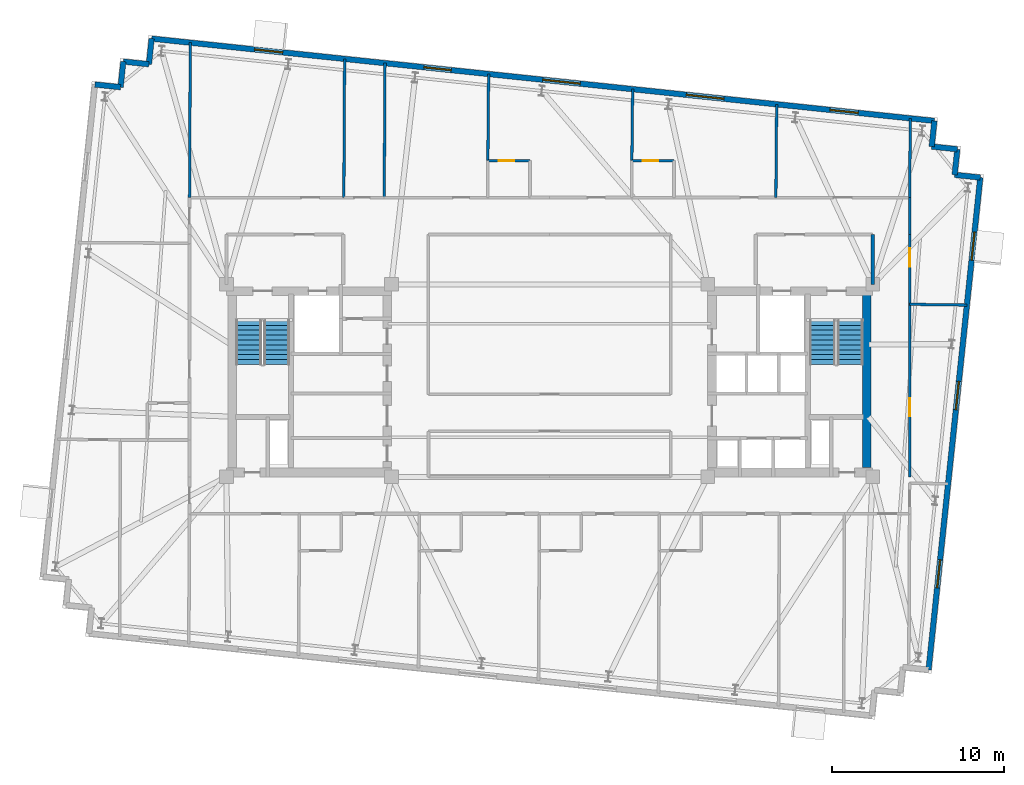
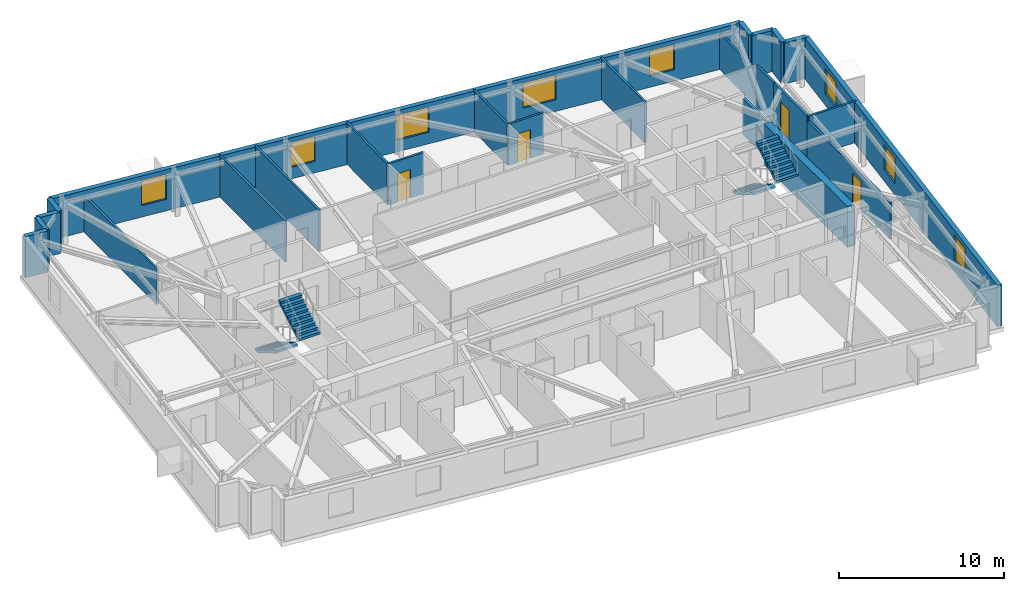
# One storey, part 9 of 11: 25 walls, 8 windows, 4 doors, 4 stair flights, 12 openings, 2 elements without a shape of their own.
"""IFC4 building model written with IfcOpenShell, lengths in metres."""

from ifc_helpers import new_model, si_unit, direction, frame, frame_2d, origin, place, context, subcontext, project, spatial, polyline, rectangle, outline, extrude, material, layer, layer_set, type_object, element, fill, aggregate, save


model = new_model("IFC4")

# Units and contexts
model_context = context("Model", 3, precision=1e-05, world=origin(), true_north=direction((0.0, 1.0)))
body_context = subcontext(model_context, "Body", "Model", "MODEL_VIEW")
ifc_project = project(units=[si_unit("LENGTHUNIT", "METRE"), si_unit("AREAUNIT", "SQUARE_METRE"), si_unit("VOLUMEUNIT", "CUBIC_METRE"), si_unit("PLANEANGLEUNIT", "RADIAN"), si_unit("MASSUNIT", "GRAM", prefix="KILO")], contexts=[model_context])

# Site, building, storey
site_placement = place(None, origin())
site = spatial("IfcSite", under=ifc_project, at=site_placement, CompositionType="ELEMENT")
building_placement = place(site_placement, origin())
building = spatial("IfcBuilding", under=site, at=building_placement, Name="Qobustan Lattice House", CompositionType="ELEMENT")
storey_placement = place(building_placement, frame((0.0, 0.0, 209.800048828125)))
storey = spatial("IfcBuildingStorey", under=building, at=storey_placement, Name="L59", CompositionType="ELEMENT", Elevation=209.800048828125)

# Walls
ifc_material_1 = material(Name="Concrete C50/60", Category="concrete")
ifc_layer_1 = layer(ifc_material_1, 0.5)
ifc_layer_set_1 = layer_set([ifc_layer_1], Name="Concrete C50/60")
wall_type_1 = type_object("IfcWallType", Name="WAL-CORE-500", PredefinedType="SHEAR", material=ifc_layer_set_1)
wall_1_placement = place(storey_placement, frame((18.4599609375, -5.050048828125, 0.0), z_axis=(0.0, 0.0, 1.0), x_axis=(0.0, 1.0, 0.0)))
element("IfcWall", 1, at=wall_1_placement, inside=storey, type_object=wall_type_1, Name="L59 split-core shear wall CE-E", PredefinedType="SHEAR", context=body_context, shape_type="SweptSolid", body=[
    extrude(rectangle(XDim=10.10009765625, YDim=0.5, at=frame_2d((5.050048828125, 0.0))), origin(), (0.0, 0.0, 1.0), 3.0400390625),
])
ifc_material_2 = material(Name="Precast concrete C40/50", Category="concrete")
ifc_layer_2 = layer(ifc_material_2, 0.320068359375)
ifc_layer_set_2 = layer_set([ifc_layer_2], Name="Precast concrete C40/50")
wall_type_2 = type_object("IfcWallType", Name="WAL-EXT-STONE-320", PredefinedType="SOLIDWALL", material=ifc_layer_set_2)
wall_2_placement = place(storey_placement, frame((-26.452880859375, 17.228515625, 0.0), z_axis=(0.0, 0.0, 1.0), x_axis=(0.994508128223, -0.104659366031, 0.0)))
element("IfcWall", 2, at=wall_2_placement, inside=storey, type_object=wall_type_2, Name="L59 exterior limestone-clad wall 6", PredefinedType="SOLIDWALL", context=body_context, shape_type="SweptSolid", body=[
    extrude(rectangle(XDim=1.5, YDim=0.320068359375, at=frame_2d((0.75, 0.0))), origin(), (0.0, 0.0, 1.0), 3.0400390625),
])
wall_3_placement = place(storey_placement, frame((-24.961181640625, 17.071533203125, 0.0), z_axis=(0.0, 0.0, 1.0), x_axis=(0.104642427191, 0.994509910675, 0.0)))
element("IfcWall", 3, at=wall_3_placement, inside=storey, type_object=wall_type_2, Name="L59 exterior limestone-clad wall 7", PredefinedType="SOLIDWALL", context=body_context, shape_type="SweptSolid", body=[
    extrude(rectangle(XDim=1.500244140625, YDim=0.320068359375, at=frame_2d((0.75, 0.0))), origin(), (0.0, 0.0, 1.0), 3.0400390625),
])
wall_4_placement = place(storey_placement, frame((-24.80419921875, 18.5634765625, 0.0), z_axis=(0.0, 0.0, 1.0), x_axis=(0.994508128223, -0.104659366031, 0.0)))
element("IfcWall", 4, at=wall_4_placement, inside=storey, type_object=wall_type_2, Name="L59 exterior limestone-clad wall 8", PredefinedType="SOLIDWALL", context=body_context, shape_type="SweptSolid", body=[
    extrude(rectangle(XDim=1.5, YDim=0.320068359375, at=frame_2d((0.75, 0.0))), origin(), (0.0, 0.0, 1.0), 3.0400390625),
])
wall_5_placement = place(storey_placement, frame((-23.3125, 18.406494140625, 0.0), z_axis=(0.0, 0.0, 1.0), x_axis=(0.104481464157, 0.994526834051, 0.0)))
element("IfcWall", 5, at=wall_5_placement, inside=storey, type_object=wall_type_2, Name="L59 exterior limestone-clad wall 9", PredefinedType="SOLIDWALL", context=body_context, shape_type="SweptSolid", body=[
    extrude(rectangle(XDim=1.500244140625, YDim=0.320068359375, at=frame_2d((0.75, 0.0))), origin(), (0.0, 0.0, 1.0), 3.0400390625),
])

# Wall, openings, windows
wall_6_placement = place(storey_placement, frame((-23.15576171875, 19.8984375, 0.0), z_axis=(0.0, 0.0, 1.0), x_axis=(0.994522001802, -0.104527450613, 0.0)))
wall_6 = element("IfcWall", 6, at=wall_6_placement, inside=storey, type_object=wall_type_2, Name="L59 exterior limestone-clad wall 10", PredefinedType="SOLIDWALL", context=body_context, shape_type="SweptSolid", body=[
    extrude(rectangle(XDim=45.800048828125, YDim=0.320068359375, at=frame_2d((22.89990234375, 0.0))), origin(), (0.0, 0.0, 1.0), 3.0400390625),
])
opening_1_placement = place(wall_6_placement, frame((6.02099609375, 0.0, 0.85009765625)))
opening_1 = element("IfcOpeningElement", 7, at=opening_1_placement, cuts=wall_6, Name="Opening WN-09", PredefinedType="OPENING", context=body_context, shape_type="SweptSolid", body=[
    extrude(rectangle(XDim=1.64990234375, YDim=1.85009765625, at=frame_2d((0.824951171875, 0.925048828125))), frame((0.0, 0.169921875, 0.0), z_axis=(0.0, -1.0, 0.0), x_axis=(1.0, 0.0, 0.0)), (0.0, 0.0, 1.0), 0.340087890625),
])
opening_2_placement = place(wall_6_placement, frame((15.934814453125, 0.0, 0.85009765625)))
opening_2 = element("IfcOpeningElement", 8, at=opening_2_placement, cuts=wall_6, Name="Opening WN-13", PredefinedType="OPENING", context=body_context, shape_type="SweptSolid", body=[
    extrude(rectangle(XDim=1.60009765625, YDim=1.85009765625, at=frame_2d((0.800048828125, 0.925048828125))), frame((0.0, 0.169921875, 0.0), z_axis=(0.0, -1.0, 0.0), x_axis=(1.0, 0.0, 0.0)), (0.0, 0.0, 1.0), 0.340087890625),
])
opening_3_placement = place(wall_6_placement, frame((22.881103515625, 0.0, 0.85009765625)))
opening_3 = element("IfcOpeningElement", 9, at=opening_3_placement, cuts=wall_6, Name="Opening WN-03", PredefinedType="OPENING", context=body_context, shape_type="SweptSolid", body=[
    extrude(rectangle(XDim=2.199951171875, YDim=1.85009765625, at=frame_2d((1.10009765625, 0.925048828125))), frame((0.0, 0.169921875, 0.0), z_axis=(0.0, -1.0, 0.0), x_axis=(1.0, 0.0, 0.0)), (0.0, 0.0, 1.0), 0.340087890625),
])
opening_4_placement = place(wall_6_placement, frame((31.288330078125, 0.0, 0.85009765625)))
opening_4 = element("IfcOpeningElement", 10, at=opening_4_placement, cuts=wall_6, Name="Opening WN-03", PredefinedType="OPENING", context=body_context, shape_type="SweptSolid", body=[
    extrude(rectangle(XDim=2.199951171875, YDim=1.85009765625, at=frame_2d((1.10009765625, 0.925048828125))), frame((0.0, 0.169921875, 0.0), z_axis=(0.0, -1.0, 0.0), x_axis=(1.0, 0.0, 0.0)), (0.0, 0.0, 1.0), 0.340087890625),
])
opening_5_placement = place(wall_6_placement, frame((39.6904296875, 0.0, 0.85009765625)))
opening_5 = element("IfcOpeningElement", 11, at=opening_5_placement, cuts=wall_6, Name="Opening WN-09", PredefinedType="OPENING", context=body_context, shape_type="SweptSolid", body=[
    extrude(rectangle(XDim=1.64990234375, YDim=1.85009765625, at=frame_2d((0.824951171875, 0.925048828125))), frame((0.0, 0.169921875, 0.0), z_axis=(0.0, -1.0, 0.0), x_axis=(1.0, 0.0, 0.0)), (0.0, 0.0, 1.0), 0.340087890625),
])
ifc_material_3 = material(Name="Double-glazed low-E aluminium window", Category="aluminium")
window_type_1 = type_object("IfcWindowType", Name="WIN-BED-1600x1850", PartitioningType="SINGLE_PANEL", PredefinedType="WINDOW", material=ifc_material_3)
window_1_placement = place(opening_2_placement, origin())
window_1 = element("IfcWindow", 12, at=window_1_placement, inside=storey, type_object=window_type_1, Name="L59 Laundry utility room window", OverallHeight=1.85009765625, OverallWidth=1.60009765625, PartitioningType="SINGLE_PANEL", PredefinedType="WINDOW", context=body_context, shape_type="SweptSolid", body=[
    extrude(rectangle(XDim=1.60009765625, YDim=1.85009765625, at=frame_2d((0.800048828125, 0.925048828125))), frame((0.0, 0.030029296875, 0.0), z_axis=(0.0, -1.0, 0.0), x_axis=(1.0, 0.0, 0.0)), (0.0, 0.0, 1.0), 0.06005859375),
])
fill(opening_2, window_1)
ifc_material_4 = material(Name="Double-glazed low-E aluminium window", Category="aluminium")
window_type_2 = type_object("IfcWindowType", Name="WIN-STU-1650x1850", PartitioningType="SINGLE_PANEL", PredefinedType="WINDOW", material=ifc_material_4)
window_2_placement = place(opening_1_placement, origin())
window_2 = element("IfcWindow", 13, at=window_2_placement, inside=storey, type_object=window_type_2, Name="L59 Focus study room N1 window", OverallHeight=1.85009765625, OverallWidth=1.64990234375, PartitioningType="SINGLE_PANEL", PredefinedType="WINDOW", context=body_context, shape_type="SweptSolid", body=[
    extrude(rectangle(XDim=1.64990234375, YDim=1.85009765625, at=frame_2d((0.824951171875, 0.925048828125))), frame((0.0, 0.030029296875, 0.0), z_axis=(0.0, -1.0, 0.0), x_axis=(1.0, 0.0, 0.0)), (0.0, 0.0, 1.0), 0.06005859375),
])
fill(opening_1, window_2)
window_3_placement = place(opening_5_placement, origin())
window_3 = element("IfcWindow", 14, at=window_3_placement, inside=storey, type_object=window_type_2, Name="L59 Focus study room N5 window", OverallHeight=1.85009765625, OverallWidth=1.64990234375, PartitioningType="SINGLE_PANEL", PredefinedType="WINDOW", context=body_context, shape_type="SweptSolid", body=[
    extrude(rectangle(XDim=1.64990234375, YDim=1.85009765625, at=frame_2d((0.824951171875, 0.925048828125))), frame((0.0, 0.030029296875, 0.0), z_axis=(0.0, -1.0, 0.0), x_axis=(1.0, 0.0, 0.0)), (0.0, 0.0, 1.0), 0.06005859375),
])
fill(opening_5, window_3)
ifc_material_5 = material(Name="Double-glazed low-E aluminium window", Category="aluminium")
window_type_3 = type_object("IfcWindowType", Name="WIN-WIDE-2200x1850", PartitioningType="SINGLE_PANEL", PredefinedType="WINDOW", material=ifc_material_5)
window_4_placement = place(opening_3_placement, origin())
window_4 = element("IfcWindow", 15, at=window_4_placement, inside=storey, type_object=window_type_3, Name="L59 Kitchenette and studio apartment L59-N3 window", OverallHeight=1.85009765625, OverallWidth=2.199951171875, PartitioningType="SINGLE_PANEL", PredefinedType="WINDOW", context=body_context, shape_type="SweptSolid", body=[
    extrude(rectangle(XDim=2.199951171875, YDim=1.85009765625, at=frame_2d((1.10009765625, 0.925048828125))), frame((0.0, 0.030029296875, 0.0), z_axis=(0.0, -1.0, 0.0), x_axis=(1.0, 0.0, 0.0)), (0.0, 0.0, 1.0), 0.06005859375),
])
fill(opening_3, window_4)
window_5_placement = place(opening_4_placement, origin())
window_5 = element("IfcWindow", 16, at=window_5_placement, inside=storey, type_object=window_type_3, Name="L59 Kitchenette and studio apartment L59-N4 window", OverallHeight=1.85009765625, OverallWidth=2.199951171875, PartitioningType="SINGLE_PANEL", PredefinedType="WINDOW", context=body_context, shape_type="SweptSolid", body=[
    extrude(rectangle(XDim=2.199951171875, YDim=1.85009765625, at=frame_2d((1.10009765625, 0.925048828125))), frame((0.0, 0.030029296875, 0.0), z_axis=(0.0, -1.0, 0.0), x_axis=(1.0, 0.0, 0.0)), (0.0, 0.0, 1.0), 0.06005859375),
])
fill(opening_4, window_5)

# Walls
wall_7_placement = place(storey_placement, frame((22.393310546875, 15.111083984375, 0.0), z_axis=(0.0, 0.0, 1.0), x_axis=(-0.104481464157, -0.994526834051, 0.0)))
element("IfcWall", 17, at=wall_7_placement, inside=storey, type_object=wall_type_2, Name="L59 exterior limestone-clad wall 11", PredefinedType="SOLIDWALL", context=body_context, shape_type="SweptSolid", body=[
    extrude(rectangle(XDim=1.500244140625, YDim=0.320068359375, at=frame_2d((0.75, 0.0))), origin(), (0.0, 0.0, 1.0), 3.0400390625),
])
for number, where, z_axis, x_axis, name in (
    (18, (22.236572265625, 13.619140625, 0.0), (0.0, 0.0, 1.0), (0.994525057048, -0.104498377516, 0.0), "L59 exterior limestone-clad wall 12"),
    (19, (23.728271484375, 13.46240234375, 0.0), (0.0, 0.0, 1.0), (-0.104498377516, -0.994525057048, 0.0), "L59 exterior limestone-clad wall 13"),
    (20, (23.571533203125, 11.970703125, 0.0), (0.0, 0.0, 1.0), (0.994508128223, -0.104659366031, 0.0), "L59 exterior limestone-clad wall 14"),
):
    element("IfcWall", number, at=place(storey_placement, frame(where, z_axis=z_axis, x_axis=x_axis)), inside=storey, type_object=wall_type_2, Name=name, PredefinedType="SOLIDWALL", context=body_context, shape_type="SweptSolid", body=[
        extrude(rectangle(XDim=1.5, YDim=0.320068359375, at=frame_2d((0.75, 0.0))), origin(), (0.0, 0.0, 1.0), 3.0400390625),
    ])

# Wall, openings, windows
wall_8_placement = place(storey_placement, frame((25.063232421875, 11.813720703125, 0.0), z_axis=(0.0, 0.0, 1.0), x_axis=(-0.104523275986, -0.99452244056, 0.0)))
wall_8 = element("IfcWall", 21, at=wall_8_placement, inside=storey, type_object=wall_type_2, Name="L59 exterior limestone-clad wall 15", PredefinedType="SOLIDWALL", context=body_context, shape_type="SweptSolid", body=[
    extrude(rectangle(XDim=28.7998046875, YDim=0.320068359375, at=frame_2d((14.39990234375, 0.0))), origin(), (0.0, 0.0, 1.0), 3.0400390625),
])
opening_6_placement = place(wall_8_placement, frame((3.18603515625, 0.0, 0.85009765625)))
opening_6 = element("IfcOpeningElement", 22, at=opening_6_placement, cuts=wall_8, Name="Opening WN-09", PredefinedType="OPENING", context=body_context, shape_type="SweptSolid", body=[
    extrude(rectangle(XDim=1.64990234375, YDim=1.85009765625, at=frame_2d((0.824951171875, 0.925048828125))), frame((0.0, 0.169921875, 0.0), z_axis=(0.0, -1.0, 0.0), x_axis=(1.0, 0.0, 0.0)), (0.0, 0.0, 1.0), 0.340087890625),
])
opening_7_placement = place(wall_8_placement, frame((11.930419921875, 0.0, 0.85009765625)))
opening_7 = element("IfcOpeningElement", 23, at=opening_7_placement, cuts=wall_8, Name="Opening WN-09", PredefinedType="OPENING", context=body_context, shape_type="SweptSolid", body=[
    extrude(rectangle(XDim=1.64990234375, YDim=1.85009765625, at=frame_2d((0.824951171875, 0.925048828125))), frame((0.0, 0.169921875, 0.0), z_axis=(0.0, -1.0, 0.0), x_axis=(1.0, 0.0, 0.0)), (0.0, 0.0, 1.0), 0.340087890625),
])
opening_8_placement = place(wall_8_placement, frame((22.359375, 0.0, 0.85009765625)))
opening_8 = element("IfcOpeningElement", 24, at=opening_8_placement, cuts=wall_8, Name="Opening WN-09", PredefinedType="OPENING", context=body_context, shape_type="SweptSolid", body=[
    extrude(rectangle(XDim=1.64990234375, YDim=1.85009765625, at=frame_2d((0.824951171875, 0.925048828125))), frame((0.0, 0.169921875, 0.0), z_axis=(0.0, -1.0, 0.0), x_axis=(1.0, 0.0, 0.0)), (0.0, 0.0, 1.0), 0.340087890625),
])
window_6_placement = place(opening_6_placement, origin())
window_6 = element("IfcWindow", 25, at=window_6_placement, inside=storey, type_object=window_type_2, Name="L59 Focus study room E3 window", OverallHeight=1.85009765625, OverallWidth=1.64990234375, PartitioningType="SINGLE_PANEL", PredefinedType="WINDOW", context=body_context, shape_type="SweptSolid", body=[
    extrude(rectangle(XDim=1.64990234375, YDim=1.85009765625, at=frame_2d((0.824951171875, 0.925048828125))), frame((0.0, 0.030029296875, 0.0), z_axis=(0.0, -1.0, 0.0), x_axis=(1.0, 0.0, 0.0)), (0.0, 0.0, 1.0), 0.06005859375),
])
fill(opening_6, window_6)
window_7_placement = place(opening_7_placement, origin())
window_7 = element("IfcWindow", 26, at=window_7_placement, inside=storey, type_object=window_type_2, Name="L59 Focus study room E2 window", OverallHeight=1.85009765625, OverallWidth=1.64990234375, PartitioningType="SINGLE_PANEL", PredefinedType="WINDOW", context=body_context, shape_type="SweptSolid", body=[
    extrude(rectangle(XDim=1.64990234375, YDim=1.85009765625, at=frame_2d((0.824951171875, 0.925048828125))), frame((0.0, 0.030029296875, 0.0), z_axis=(0.0, -1.0, 0.0), x_axis=(1.0, 0.0, 0.0)), (0.0, 0.0, 1.0), 0.06005859375),
])
fill(opening_7, window_7)
window_8_placement = place(opening_8_placement, origin())
window_8 = element("IfcWindow", 27, at=window_8_placement, inside=storey, type_object=window_type_2, Name="L59 Focus study room E1 window", OverallHeight=1.85009765625, OverallWidth=1.64990234375, PartitioningType="SINGLE_PANEL", PredefinedType="WINDOW", context=body_context, shape_type="SweptSolid", body=[
    extrude(rectangle(XDim=1.64990234375, YDim=1.85009765625, at=frame_2d((0.824951171875, 0.925048828125))), frame((0.0, 0.030029296875, 0.0), z_axis=(0.0, -1.0, 0.0), x_axis=(1.0, 0.0, 0.0)), (0.0, 0.0, 1.0), 0.06005859375),
])
fill(opening_8, window_8)

# Wall
ifc_material_6 = material(Name="Acoustic twin-stud gypsum partition", Category="gypsum")
ifc_layer_3 = layer(ifc_material_6, 0.14990234375)
ifc_layer_set_3 = layer_set([ifc_layer_3], Name="Acoustic twin-stud gypsum partition")
wall_type_3 = type_object("IfcWallType", Name="WAL-PART-150", PredefinedType="PARTITIONING", material=ifc_layer_set_3)
wall_9_placement = place(storey_placement, frame((20.949951171875, 10.64990234375, 0.0), z_axis=(0.0, 0.0, 1.0), x_axis=(0.0, -1.0, 0.0)))
element("IfcWall", 28, at=wall_9_placement, inside=storey, type_object=wall_type_3, Name="L59 interior partition 39", PredefinedType="PARTITIONING", context=body_context, shape_type="SweptSolid", body=[
    extrude(rectangle(XDim=2.14990234375, YDim=0.14990234375, at=frame_2d((1.074951171875, 0.0))), origin(), (0.0, 0.0, 1.0), 3.0400390625),
])

# Wall, opening, door
wall_10_placement = place(storey_placement, frame((20.949951171875, 4.43798828125, 0.0), z_axis=(0.0, 0.0, 1.0), x_axis=(0.0, -1.0, 0.0)))
wall_10 = element("IfcWall", 29, at=wall_10_placement, inside=storey, type_object=wall_type_3, Name="L59 interior partition 65", PredefinedType="PARTITIONING", context=body_context, shape_type="SweptSolid", body=[
    extrude(rectangle(XDim=10.0380859375, YDim=0.14990234375, at=frame_2d((5.01904296875, 0.0))), origin(), (0.0, 0.0, 1.0), 2.695068359375),
])
opening_9_placement = place(wall_10_placement, frame((5.472412109375, 0.0, 0.0)))
opening_9 = element("IfcOpeningElement", 30, at=opening_9_placement, cuts=wall_10, Name="Opening ID-02", PredefinedType="OPENING", context=body_context, shape_type="SweptSolid", body=[
    extrude(rectangle(XDim=1.050048828125, YDim=2.14990234375, at=frame_2d((0.52490234375, 1.074951171875))), frame((0.0, 0.0849609375, 0.0), z_axis=(0.0, -1.0, 0.0), x_axis=(1.0, 0.0, 0.0)), (0.0, 0.0, 1.0), 0.169921875),
])
ifc_material_7 = material(Name="Persian walnut timber and steel frame door", Category="steel")
door_type_1 = type_object("IfcDoorType", Name="DOR-STUDY-1050x2150", OperationType="NOTDEFINED", PredefinedType="DOOR", material=ifc_material_7)
door_1_placement = place(opening_9_placement, origin())
door_1 = element("IfcDoor", 31, at=door_1_placement, inside=storey, type_object=door_type_1, Name="L59 East wing spine gallery to Focus study room E2 door", OperationType="SINGLE_SWING_RIGHT", OverallHeight=2.14990234375, OverallWidth=1.050048828125, PredefinedType="DOOR", context=body_context, shape_type="SweptSolid", body=[
    extrude(rectangle(XDim=1.050048828125, YDim=2.14990234375, at=frame_2d((0.52490234375, 1.074951171875))), frame((0.0, 0.02490234375, 0.0), z_axis=(0.0, -1.0, 0.0), x_axis=(1.0, 0.0, 0.0)), (0.0, 0.0, 1.0), 0.050048828125),
])
fill(opening_9, door_1)

wall_11_placement = place(storey_placement, frame((20.949951171875, 8.5, 0.0), z_axis=(0.0, 0.0, 1.0), x_axis=(0.0, -1.0, 0.0)))
wall_11 = element("IfcWall", 32, at=wall_11_placement, inside=storey, type_object=wall_type_3, Name="L59 interior partition 66", PredefinedType="PARTITIONING", context=body_context, shape_type="SweptSolid", body=[
    extrude(rectangle(XDim=4.06201171875, YDim=0.14990234375, at=frame_2d((2.031005859375, 0.0))), origin(), (0.0, 0.0, 1.0), 3.0400390625),
])
opening_10_placement = place(wall_11_placement, frame((0.8115234375, 0.0, 0.0)))
opening_10 = element("IfcOpeningElement", 33, at=opening_10_placement, cuts=wall_11, Name="Opening ID-02", PredefinedType="OPENING", context=body_context, shape_type="SweptSolid", body=[
    extrude(rectangle(XDim=1.050048828125, YDim=2.14990234375, at=frame_2d((0.52490234375, 1.074951171875))), frame((0.0, 0.0849609375, 0.0), z_axis=(0.0, -1.0, 0.0), x_axis=(1.0, 0.0, 0.0)), (0.0, 0.0, 1.0), 0.169921875),
])
door_2_placement = place(opening_10_placement, origin())
door_2 = element("IfcDoor", 34, at=door_2_placement, inside=storey, type_object=door_type_1, Name="L59 East wing spine gallery to Focus study room E3 door", OperationType="SINGLE_SWING_LEFT", OverallHeight=2.14990234375, OverallWidth=1.050048828125, PredefinedType="DOOR", context=body_context, shape_type="SweptSolid", body=[
    extrude(rectangle(XDim=1.050048828125, YDim=2.14990234375, at=frame_2d((0.52490234375, 1.074951171875))), frame((0.0, 0.02490234375, 0.0), z_axis=(0.0, -1.0, 0.0), x_axis=(1.0, 0.0, 0.0)), (0.0, 0.0, 1.0), 0.050048828125),
])
fill(opening_10, door_2)

# Walls
wall_12_placement = place(storey_placement, frame((-20.906005859375, 19.661865234375, 0.0), z_axis=(0.0, 0.0, 1.0), x_axis=(-0.004876272857, -0.999988110911, 0.0)))
element("IfcWall", 35, at=wall_12_placement, inside=storey, type_object=wall_type_3, Name="L59 interior partition 81", PredefinedType="PARTITIONING", context=body_context, shape_type="SweptSolid", body=[
    extrude(rectangle(XDim=9.011962890625, YDim=0.14990234375, at=frame_2d((4.505859375, 0.0))), origin(), (0.0, 0.0, 1.0), 2.6650390625),
])
wall_13_placement = place(storey_placement, frame((20.949951171875, 4.43798828125, 0.0), z_axis=(0.0, 0.0, 1.0), x_axis=(0.999913116238, -0.013181804667, 0.0)))
element("IfcWall", 36, at=wall_13_placement, inside=storey, type_object=wall_type_3, Name="L59 interior partition 84", PredefinedType="PARTITIONING", context=body_context, shape_type="SweptSolid", body=[
    extrude(rectangle(XDim=3.333740234375, YDim=0.14990234375, at=frame_2d((1.6669921875, 0.0))), origin(), (0.0, 0.0, 1.0), 3.0400390625),
])
wall_14_placement = place(storey_placement, frame((20.949951171875, 10.64990234375, 0.0), z_axis=(0.0, 0.0, 1.0), x_axis=(0.009535990233, 0.999954531411, 0.0)))
element("IfcWall", 37, at=wall_14_placement, inside=storey, type_object=wall_type_3, Name="L59 interior partition 85", PredefinedType="PARTITIONING", context=body_context, shape_type="SweptSolid", body=[
    extrude(rectangle(XDim=4.6083984375, YDim=0.14990234375, at=frame_2d((2.30419921875, 0.0))), origin(), (0.0, 0.0, 1.0), 2.6650390625),
])
wall_15_placement = place(storey_placement, frame((-3.546142578125, 17.83740234375, 0.0), z_axis=(0.0, 0.0, 1.0), x_axis=(-0.008723556964, -0.999961949053, 0.0)))
element("IfcWall", 38, at=wall_15_placement, inside=storey, type_object=wall_type_3, Name="L59 interior partition 88", PredefinedType="PARTITIONING", context=body_context, shape_type="SweptSolid", body=[
    extrude(rectangle(XDim=5.03759765625, YDim=0.14990234375, at=frame_2d((2.518798828125, 0.0))), origin(), (0.0, 0.0, 1.0), 3.0400390625),
])
wall_16_placement = place(storey_placement, frame((4.833984375, 16.95654296875, 0.0), z_axis=(0.0, 0.0, 1.0), x_axis=(-0.010572096358, -0.999944113828, 0.0)))
element("IfcWall", 39, at=wall_16_placement, inside=storey, type_object=wall_type_3, Name="L59 interior partition 92", PredefinedType="PARTITIONING", context=body_context, shape_type="SweptSolid", body=[
    extrude(rectangle(XDim=4.15673828125, YDim=0.14990234375, at=frame_2d((2.078369140625, 0.0))), origin(), (0.0, 0.0, 1.0), 3.0400390625),
])
wall_17_placement = place(storey_placement, frame((13.2138671875, 16.07568359375, 0.0), z_axis=(0.0, 0.0, 1.0), x_axis=(-0.008099086408, -0.999967201862, 0.0)))
element("IfcWall", 40, at=wall_17_placement, inside=storey, type_object=wall_type_3, Name="L59 interior partition 96", PredefinedType="PARTITIONING", context=body_context, shape_type="SweptSolid", body=[
    extrude(rectangle(XDim=5.426025390625, YDim=0.14990234375, at=frame_2d((2.712890625, 0.0))), origin(), (0.0, 0.0, 1.0), 3.0400390625),
])
ifc_material_8 = material(Name="Two-hour gypsum fireboard acoustic partition", Category="gypsum")
ifc_layer_4 = layer(ifc_material_8, 0.199951171875)
ifc_layer_set_4 = layer_set([ifc_layer_4], Name="Two-hour gypsum fireboard acoustic partition")
wall_type_4 = type_object("IfcWallType", Name="WAL-PROT-200", PredefinedType="PARTITIONING", material=ifc_layer_set_4)
wall_18_placement = place(storey_placement, frame((18.800048828125, 5.60009765625, 0.0), z_axis=(0.0, 0.0, 1.0), x_axis=(0.0, 1.0, 0.0)))
element("IfcWall", 41, at=wall_18_placement, inside=storey, type_object=wall_type_4, Name="L59 interior partition 18", PredefinedType="PARTITIONING", context=body_context, shape_type="SweptSolid", body=[
    extrude(rectangle(XDim=2.89990234375, YDim=0.199951171875, at=frame_2d((1.449951171875, 0.0))), origin(), (0.0, 0.0, 1.0), 2.6650390625),
])
ifc_material_9 = material(Name="Moisture-resistant acoustic plumbing wall", Category="gypsum")
ifc_layer_5 = layer(ifc_material_9, 0.14990234375)
ifc_layer_set_5 = layer_set([ifc_layer_5], Name="Moisture-resistant acoustic plumbing wall")
wall_type_5 = type_object("IfcWallType", Name="WAL-WET-150", PredefinedType="PLUMBINGWALL", material=ifc_layer_set_5)
wall_19_placement = place(storey_placement, frame((-11.926025390625, 18.718017578125, 0.0), z_axis=(0.0, 0.0, 1.0), x_axis=(-0.005446707114, -0.999985166581, 0.0)))
element("IfcWall", 42, at=wall_19_placement, inside=storey, type_object=wall_type_5, Name="L59 interior partition 86", PredefinedType="PLUMBINGWALL", context=body_context, shape_type="SweptSolid", body=[
    extrude(rectangle(XDim=8.068115234375, YDim=0.14990234375, at=frame_2d((4.0341796875, 0.0))), origin(), (0.0, 0.0, 1.0), 3.0400390625),
])
wall_20_placement = place(storey_placement, frame((-9.576171875, 18.47119140625, 0.0), z_axis=(0.0, 0.0, 1.0), x_axis=(-0.005618590299, -0.999984215597, 0.0)))
element("IfcWall", 43, at=wall_20_placement, inside=storey, type_object=wall_type_5, Name="L59 interior partition 87", PredefinedType="PLUMBINGWALL", context=body_context, shape_type="SweptSolid", body=[
    extrude(rectangle(XDim=7.821533203125, YDim=0.14990234375, at=frame_2d((3.91064453125, 0.0))), origin(), (0.0, 0.0, 1.0), 3.0400390625),
])

# Wall, opening, door
wall_21_placement = place(storey_placement, frame((-1.139892578125, 12.800048828125, 0.0), z_axis=(0.0, 0.0, 1.0), x_axis=(-1.0, 0.0, 0.0)))
wall_21 = element("IfcWall", 44, at=wall_21_placement, inside=storey, type_object=wall_type_5, Name="L59 interior partition 90", PredefinedType="PLUMBINGWALL", context=body_context, shape_type="SweptSolid", body=[
    extrude(rectangle(XDim=2.4501953125, YDim=0.14990234375, at=frame_2d((1.22509765625, 0.0))), origin(), (0.0, 0.0, 1.0), 3.0400390625),
])
opening_11_placement = place(wall_21_placement, frame((0.92138671875, 0.0, 0.0)))
opening_11 = element("IfcOpeningElement", 45, at=opening_11_placement, cuts=wall_21, Name="Opening WD-01", PredefinedType="OPENING", context=body_context, shape_type="SweptSolid", body=[
    extrude(rectangle(XDim=0.89990234375, YDim=2.10009765625, at=frame_2d((0.449951171875, 1.050048828125))), frame((0.0, 0.0849609375, 0.0), z_axis=(0.0, -1.0, 0.0), x_axis=(1.0, 0.0, 0.0)), (0.0, 0.0, 1.0), 0.169921875),
])
ifc_material_10 = material(Name="Persian walnut timber and steel frame door", Category="steel")
door_type_2 = type_object("IfcDoorType", Name="DOR-WET-900x2100", OperationType="NOTDEFINED", PredefinedType="DOOR", material=ifc_material_10)
door_3_placement = place(opening_11_placement, origin())
door_3 = element("IfcDoor", 46, at=door_3_placement, inside=storey, type_object=door_type_2, Name="L59 Kitchenette and studio apartment L59-N3 to En-suite bathroom L59-N3 door", OperationType="SINGLE_SWING_RIGHT", OverallHeight=2.10009765625, OverallWidth=0.89990234375, PredefinedType="DOOR", context=body_context, shape_type="SweptSolid", body=[
    extrude(rectangle(XDim=0.89990234375, YDim=2.10009765625, at=frame_2d((0.449951171875, 1.050048828125))), frame((0.0, 0.02490234375, 0.0), z_axis=(0.0, -1.0, 0.0), x_axis=(1.0, 0.0, 0.0)), (0.0, 0.0, 1.0), 0.050048828125),
])
fill(opening_11, door_3)

wall_22_placement = place(storey_placement, frame((7.239990234375, 12.800048828125, 0.0), z_axis=(0.0, 0.0, 1.0), x_axis=(-1.0, 0.0, 0.0)))
wall_22 = element("IfcWall", 47, at=wall_22_placement, inside=storey, type_object=wall_type_5, Name="L59 interior partition 94", PredefinedType="PLUMBINGWALL", context=body_context, shape_type="SweptSolid", body=[
    extrude(rectangle(XDim=2.449951171875, YDim=0.14990234375, at=frame_2d((1.22509765625, 0.0))), origin(), (0.0, 0.0, 1.0), 3.0400390625),
])
opening_12_placement = place(wall_22_placement, frame((0.92138671875, 0.0, 0.0)))
opening_12 = element("IfcOpeningElement", 48, at=opening_12_placement, cuts=wall_22, Name="Opening WD-01", PredefinedType="OPENING", context=body_context, shape_type="SweptSolid", body=[
    extrude(rectangle(XDim=0.89990234375, YDim=2.10009765625, at=frame_2d((0.449951171875, 1.050048828125))), frame((0.0, 0.0849609375, 0.0), z_axis=(0.0, -1.0, 0.0), x_axis=(1.0, 0.0, 0.0)), (0.0, 0.0, 1.0), 0.169921875),
])
door_4_placement = place(opening_12_placement, origin())
door_4 = element("IfcDoor", 49, at=door_4_placement, inside=storey, type_object=door_type_2, Name="L59 Kitchenette and studio apartment L59-N4 to En-suite bathroom L59-N4 door", OperationType="SINGLE_SWING_LEFT", OverallHeight=2.10009765625, OverallWidth=0.89990234375, PredefinedType="DOOR", context=body_context, shape_type="SweptSolid", body=[
    extrude(rectangle(XDim=0.89990234375, YDim=2.10009765625, at=frame_2d((0.449951171875, 1.050048828125))), frame((0.0, 0.02490234375, 0.0), z_axis=(0.0, -1.0, 0.0), x_axis=(1.0, 0.0, 0.0)), (0.0, 0.0, 1.0), 0.050048828125),
])
fill(opening_12, door_4)

# Stair, stair flights
ifc_material_11 = material(Name="Concrete C40/50", Category="concrete")
stair_type = type_object("IfcStairType", Name="STR-CORE-DOGLEG", PredefinedType="HALF_TURN_STAIR", material=ifc_material_11)
stair_1_placement = place(storey_placement, origin())
stair_1 = element("IfcStair", 50, at=stair_1_placement, inside=storey, type_object=stair_type, Name="L59 West protected exit stair ST-W1", PredefinedType="HALF_TURN_STAIR")
ifc_material_12 = material(Name="Concrete C40/50", Category="concrete")
stair_flight_type = type_object("IfcStairFlightType", Name="SFL-RC-1500", PredefinedType="STRAIGHT", material=ifc_material_12)
stair_flight_1_placement = place(storey_placement, frame((-17.5, 3.5, 0.0), z_axis=(0.0, 0.0, 1.0), x_axis=(0.0, -1.0, 0.0)))
stair_flight_1 = element("IfcStairFlight", 51, at=stair_flight_1_placement, type_object=stair_flight_type, Name="ST-W1 flight 1", NumberOfRisers=10, NumberOfTreads=9, PredefinedType="STRAIGHT", RiserHeight=0.1675, TreadLength=0.285, context=body_context, shape_type="SweptSolid", body=[
    extrude(outline(polyline([(0.0, 0.0), (0.0, 0.16748046875), (0.284912109375, 0.16748046875), (0.284912109375, 0.3349609375), (0.570068359375, 0.3349609375), (0.570068359375, 0.50244140625), (0.85498046875, 0.50244140625), (0.85498046875, 0.669921875), (1.139892578125, 0.669921875), (1.139892578125, 0.83740234375), (1.425048828125, 0.83740234375), (1.425048828125, 1.0048828125), (1.7099609375, 1.0048828125), (1.7099609375, 1.172607421875), (1.9951171875, 1.172607421875), (1.9951171875, 1.340087890625), (2.280029296875, 1.340087890625), (2.280029296875, 1.507568359375), (2.56494140625, 1.507568359375), (2.56494140625, 1.675048828125), (2.56494140625, 1.333740234375), (0.2958984375, 0.0), (0.0, 0.0)])), frame((0.0, 0.75, 0.0), z_axis=(0.0, -1.0, 0.0), x_axis=(1.0, 0.0, 0.0)), (0.0, 0.0, 1.0), 1.5),
])
stair_flight_2_placement = place(storey_placement, frame((-15.8798828125, 0.93505859375, 1.675048828125), z_axis=(0.0, 0.0, 1.0), x_axis=(0.0, 1.0, 0.0)))
stair_flight_2 = element("IfcStairFlight", 52, at=stair_flight_2_placement, type_object=stair_flight_type, Name="ST-W1 flight 2", NumberOfRisers=10, NumberOfTreads=9, PredefinedType="STRAIGHT", RiserHeight=0.1675, TreadLength=0.285, context=body_context, shape_type="SweptSolid", body=[
    extrude(outline(polyline([(0.0, 0.0), (0.0, 0.16748046875), (0.284912109375, 0.16748046875), (0.284912109375, 0.3349609375), (0.570068359375, 0.3349609375), (0.570068359375, 0.50244140625), (0.85498046875, 0.50244140625), (0.85498046875, 0.669921875), (1.139892578125, 0.669921875), (1.139892578125, 0.83740234375), (1.425048828125, 0.83740234375), (1.425048828125, 1.0048828125), (1.7099609375, 1.0048828125), (1.7099609375, 1.172607421875), (1.9951171875, 1.172607421875), (1.9951171875, 1.340087890625), (2.280029296875, 1.340087890625), (2.280029296875, 1.507568359375), (2.56494140625, 1.507568359375), (2.56494140625, 1.675048828125), (2.56494140625, 1.333740234375), (0.2958984375, 0.0), (0.0, 0.0)])), frame((0.0, 0.75, 0.0), z_axis=(0.0, -1.0, 0.0), x_axis=(1.0, 0.0, 0.0)), (0.0, 0.0, 1.0), 1.5),
])
aggregate(stair_1, [stair_flight_1, stair_flight_2])

stair_2_placement = place(storey_placement, origin())
stair_2 = element("IfcStair", 53, at=stair_2_placement, inside=storey, type_object=stair_type, Name="L59 East protected exit stair ST-E1", PredefinedType="HALF_TURN_STAIR")
stair_flight_3_placement = place(storey_placement, frame((15.8798828125, 3.5, 0.0), z_axis=(0.0, 0.0, 1.0), x_axis=(0.0, -1.0, 0.0)))
stair_flight_3 = element("IfcStairFlight", 54, at=stair_flight_3_placement, type_object=stair_flight_type, Name="ST-E1 flight 1", NumberOfRisers=10, NumberOfTreads=9, PredefinedType="STRAIGHT", RiserHeight=0.1675, TreadLength=0.285, context=body_context, shape_type="SweptSolid", body=[
    extrude(outline(polyline([(0.0, 0.0), (0.0, 0.16748046875), (0.284912109375, 0.16748046875), (0.284912109375, 0.3349609375), (0.570068359375, 0.3349609375), (0.570068359375, 0.50244140625), (0.85498046875, 0.50244140625), (0.85498046875, 0.669921875), (1.139892578125, 0.669921875), (1.139892578125, 0.83740234375), (1.425048828125, 0.83740234375), (1.425048828125, 1.0048828125), (1.7099609375, 1.0048828125), (1.7099609375, 1.172607421875), (1.9951171875, 1.172607421875), (1.9951171875, 1.340087890625), (2.280029296875, 1.340087890625), (2.280029296875, 1.507568359375), (2.56494140625, 1.507568359375), (2.56494140625, 1.675048828125), (2.56494140625, 1.333740234375), (0.2958984375, 0.0), (0.0, 0.0)])), frame((0.0, 0.75, 0.0), z_axis=(0.0, -1.0, 0.0), x_axis=(1.0, 0.0, 0.0)), (0.0, 0.0, 1.0), 1.5),
])
stair_flight_4_placement = place(storey_placement, frame((17.5, 0.93505859375, 1.675048828125), z_axis=(0.0, 0.0, 1.0), x_axis=(0.0, 1.0, 0.0)))
stair_flight_4 = element("IfcStairFlight", 55, at=stair_flight_4_placement, type_object=stair_flight_type, Name="ST-E1 flight 2", NumberOfRisers=10, NumberOfTreads=9, PredefinedType="STRAIGHT", RiserHeight=0.1675, TreadLength=0.285, context=body_context, shape_type="SweptSolid", body=[
    extrude(outline(polyline([(0.0, 0.0), (0.0, 0.16748046875), (0.284912109375, 0.16748046875), (0.284912109375, 0.3349609375), (0.570068359375, 0.3349609375), (0.570068359375, 0.50244140625), (0.85498046875, 0.50244140625), (0.85498046875, 0.669921875), (1.139892578125, 0.669921875), (1.139892578125, 0.83740234375), (1.425048828125, 0.83740234375), (1.425048828125, 1.0048828125), (1.7099609375, 1.0048828125), (1.7099609375, 1.172607421875), (1.9951171875, 1.172607421875), (1.9951171875, 1.340087890625), (2.280029296875, 1.340087890625), (2.280029296875, 1.507568359375), (2.56494140625, 1.507568359375), (2.56494140625, 1.675048828125), (2.56494140625, 1.333740234375), (0.2958984375, 0.0), (0.0, 0.0)])), frame((0.0, 0.75, 0.0), z_axis=(0.0, -1.0, 0.0), x_axis=(1.0, 0.0, 0.0)), (0.0, 0.0, 1.0), 1.5),
])
aggregate(stair_2, [stair_flight_3, stair_flight_4])

save(model, "model.ifc")
